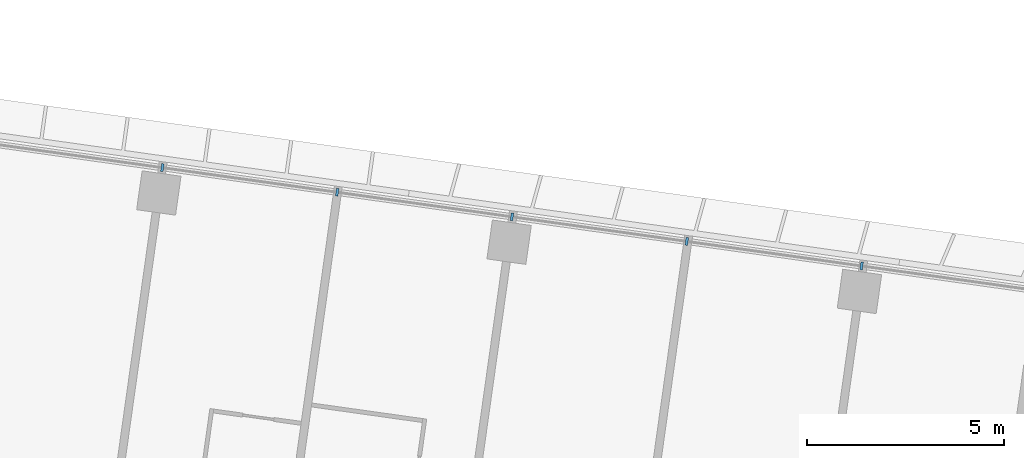
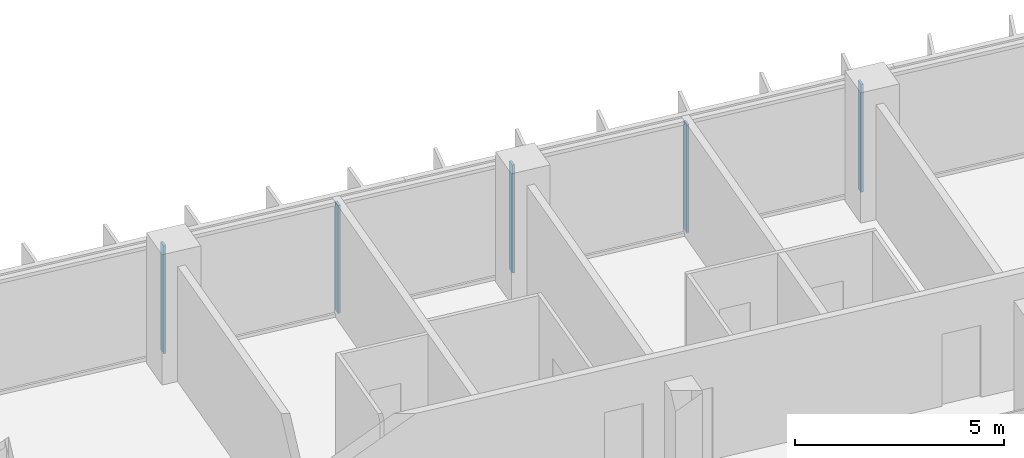
# One storey, part 5 of 24: 5 members, 1 element without a shape of its own.
"""IFC4 building model written with IfcOpenShell, lengths in metres."""

from ifc_helpers import new_model, si_unit, direction, frame, origin, origin_2d, place, context, subcontext, project, spatial, rectangle, extrude, material, material_profile, profile_set, type_object, element, aggregate, save


model = new_model("IFC4")

# Units and contexts
model_context = context("Model", 3, precision=1e-05, world=origin(), true_north=direction((0.0, 1.0)))
body_context = subcontext(model_context, "Body", "Model", "MODEL_VIEW")
ifc_project = project(units=[si_unit("LENGTHUNIT", "METRE"), si_unit("AREAUNIT", "SQUARE_METRE"), si_unit("VOLUMEUNIT", "CUBIC_METRE"), si_unit("PLANEANGLEUNIT", "RADIAN"), si_unit("MASSUNIT", "GRAM", prefix="KILO")], contexts=[model_context])

# Site, building, storey
site_placement = place(None, origin())
site = spatial("IfcSite", under=ifc_project, at=site_placement, CompositionType="ELEMENT")
building_placement = place(site_placement, origin())
building = spatial("IfcBuilding", under=site, at=building_placement, Name="Mirante Cascada Hotel Towers", CompositionType="ELEMENT")
storey_placement = place(building_placement, frame((0.0, 0.0, 43.3)))
storey = spatial("IfcBuildingStorey", under=building, at=storey_placement, Name="L07", CompositionType="ELEMENT", Elevation=43.3)

# Curtain wall, members
ifc_material_1 = material(Name="Aluminium mullion and transom frame with clear laminated glass", Category="aluminium")
curtain_wall_type = type_object("IfcCurtainWallType", Name="Ribbon curtain wall ECW1", PredefinedType="NOTDEFINED", material=ifc_material_1)
curtain_wall_placement = place(storey_placement, origin())
curtain_wall = element("IfcCurtainWall", 1, at=curtain_wall_placement, inside=storey, type_object=curtain_wall_type, Name="Front ribbon wall T1 L07", PredefinedType="NOTDEFINED")
ifc_material_2 = material(Name="Anodised aluminium extrusion", Category="aluminium")
ifc_material_profile = material_profile(ifc_material_2, rectangle(XDim=0.2, YDim=0.065, at=origin_2d()), Name="ECW1 MULLION 65x200")
ifc_profile_set = profile_set([ifc_material_profile], Name="Anodised aluminium extrusion")
member_type = type_object("IfcMemberType", Name="ECW1 mullion 65x200", PredefinedType="MULLION", material=ifc_profile_set)
member_1_placement = place(storey_placement, frame((-63.0262, 21.6768, 0.1), z_axis=(0.0, 0.0, 1.0), x_axis=(0.1391731, 0.9902681, 0.0)))
member_1 = element("IfcMember", 2, at=member_1_placement, type_object=member_type, Name="ECW1 mullion 8", PredefinedType="MULLION", context=body_context, shape_type="SweptSolid", body=[
    extrude(rectangle(XDim=0.2, YDim=0.065, at=origin_2d()), origin(), (0.0, 0.0, 1.0), 3.15),
])
member_2_placement = place(storey_placement, frame((-58.5788, 21.0517, 0.1), z_axis=(0.0, 0.0, 1.0), x_axis=(0.1391731, 0.9902681, 0.0)))
member_2 = element("IfcMember", 3, at=member_2_placement, type_object=member_type, Name="ECW1 mullion 9", PredefinedType="MULLION", context=body_context, shape_type="SweptSolid", body=[
    extrude(rectangle(XDim=0.2, YDim=0.065, at=origin_2d()), origin(), (0.0, 0.0, 1.0), 3.15),
])
member_3_placement = place(storey_placement, frame((-54.1314, 20.4267, 0.1), z_axis=(0.0, 0.0, 1.0), x_axis=(0.1391731, 0.9902681, 0.0)))
member_3 = element("IfcMember", 4, at=member_3_placement, type_object=member_type, Name="ECW1 mullion 10", PredefinedType="MULLION", context=body_context, shape_type="SweptSolid", body=[
    extrude(rectangle(XDim=0.2, YDim=0.065, at=origin_2d()), origin(), (0.0, 0.0, 1.0), 3.15),
])
member_4_placement = place(storey_placement, frame((-49.684, 19.8017, 0.1), z_axis=(0.0, 0.0, 1.0), x_axis=(0.1391731, 0.9902681, 0.0)))
member_4 = element("IfcMember", 5, at=member_4_placement, type_object=member_type, Name="ECW1 mullion 11", PredefinedType="MULLION", context=body_context, shape_type="SweptSolid", body=[
    extrude(rectangle(XDim=0.2, YDim=0.065, at=origin_2d()), origin(), (0.0, 0.0, 1.0), 3.15),
])
member_5_placement = place(storey_placement, frame((-45.2366, 19.1766, 0.1), z_axis=(0.0, 0.0, 1.0), x_axis=(0.1391731, 0.9902681, 0.0)))
member_5 = element("IfcMember", 6, at=member_5_placement, type_object=member_type, Name="ECW1 mullion 12", PredefinedType="MULLION", context=body_context, shape_type="SweptSolid", body=[
    extrude(rectangle(XDim=0.2, YDim=0.065, at=origin_2d()), origin(), (0.0, 0.0, 1.0), 3.15),
])
aggregate(curtain_wall, [member_1, member_2, member_3, member_4, member_5])

save(model, "model.ifc")
